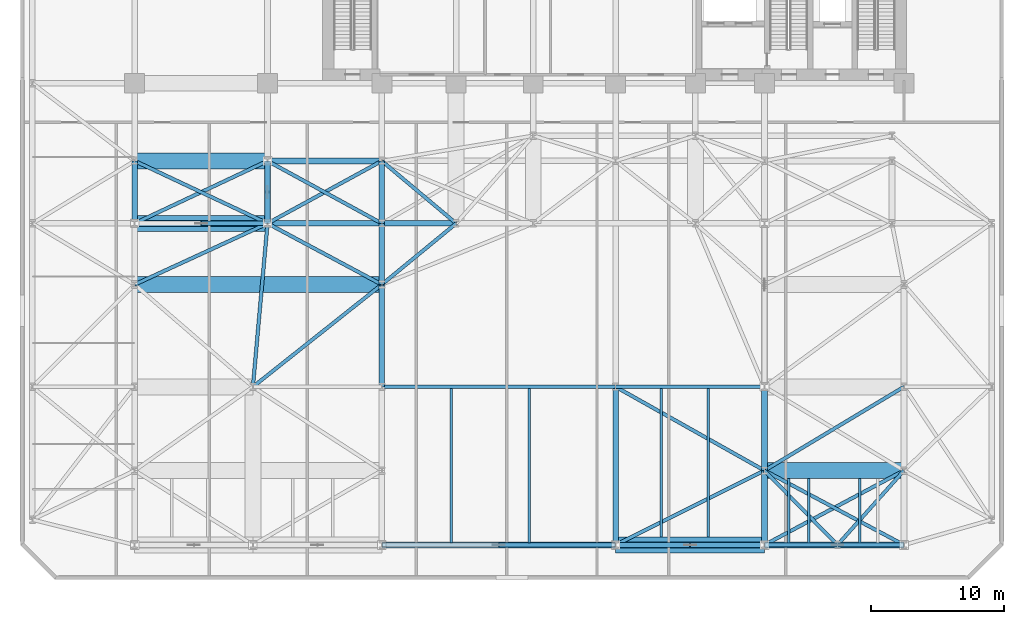
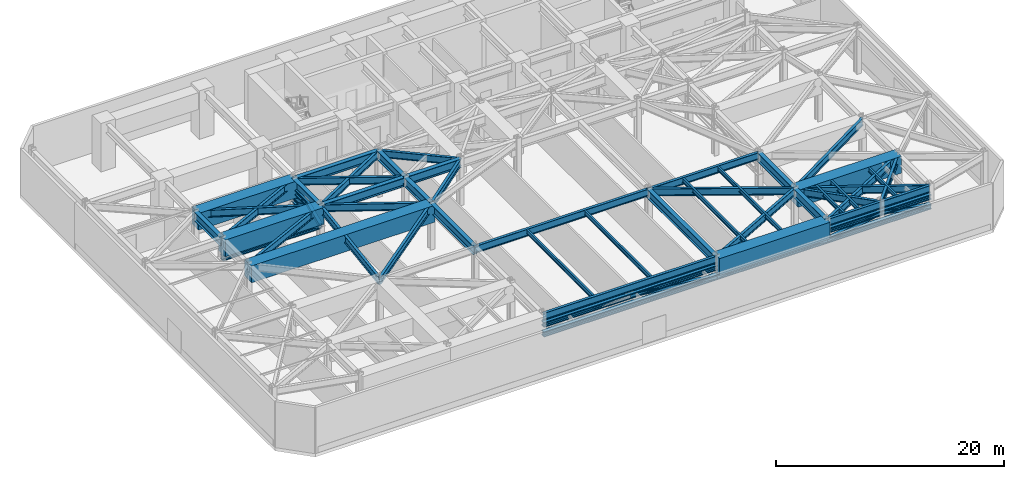
# One storey, part 2 of 14: 45 beams, 16 members.
"""IFC4 building model written with IfcOpenShell, lengths in metres."""

from ifc_helpers import new_model, si_unit, direction, frame, origin, origin_2d, place, context, subcontext, project, spatial, rectangle, hollow_rectangle, i_section, extrude, material, material_profile, profile_set, type_object, element, save


model = new_model("IFC4")

# Units and contexts
model_context = context("Model", 3, precision=1e-05, world=origin(), true_north=direction((0.0, 1.0)))
body_context = subcontext(model_context, "Body", "Model", "MODEL_VIEW")
ifc_project = project(units=[si_unit("LENGTHUNIT", "METRE"), si_unit("AREAUNIT", "SQUARE_METRE"), si_unit("VOLUMEUNIT", "CUBIC_METRE"), si_unit("PLANEANGLEUNIT", "RADIAN"), si_unit("MASSUNIT", "GRAM", prefix="KILO")], contexts=[model_context])

# Site, building, storey
site_placement = place(None, origin())
site = spatial("IfcSite", under=ifc_project, at=site_placement, CompositionType="ELEMENT")
building_placement = place(site_placement, origin())
building = spatial("IfcBuilding", under=site, at=building_placement, Name="Kravanh Interchange Tower", CompositionType="ELEMENT")
storey_placement = place(building_placement, frame((0.0, 0.0, 24.300048828125)))
storey = spatial("IfcBuildingStorey", under=building, at=storey_placement, Name="L05", CompositionType="ELEMENT", Elevation=24.300048828125)

# Beams
ifc_material_1 = material(Name="Structural Steel S450", Category="steel")
ifc_material_profile_1 = material_profile(ifc_material_1, i_section(OverallWidth=0.423095703125, OverallDepth=0.947998046875, WebThickness=0.02392578125, FlangeThickness=0.042724609375, FilletRadius=0.028076171875, at=origin_2d()), Name="W36X302")
ifc_profile_set_1 = profile_set([ifc_material_profile_1], Name="Structural Steel S450")
beam_type_1 = type_object("IfcBeamType", Name="Floor Beam W36X302 Structural Steel S450", PredefinedType="BEAM", material=ifc_profile_set_1)
beam_1_placement = place(storey_placement, frame((44.800048828125, 2.60009765625, 4.466064453125), z_axis=(0.0, 1.0, 0.0), x_axis=(-1.0, 0.0, 0.0)))
element("IfcBeam", 1, at=beam_1_placement, inside=storey, type_object=beam_type_1, Name="L05 Primary Floor Girder 11", PredefinedType="BEAM", context=body_context, shape_type="SweptSolid", body=[
    extrude(i_section(OverallWidth=0.423095703125, OverallDepth=0.947998046875, WebThickness=0.02392578125, FlangeThickness=0.042724609375, FilletRadius=0.028076171875, at=origin_2d()), origin(), (0.0, 0.0, 1.0), 11.89990234375),
])
beam_2_placement = place(storey_placement, frame((56.0, 2.60009765625, 4.466064453125), z_axis=(0.0, 1.0, 0.0), x_axis=(-1.0, 0.0, 0.0)))
element("IfcBeam", 2, at=beam_2_placement, inside=storey, type_object=beam_type_1, Name="L05 Primary Floor Girder 14", PredefinedType="BEAM", context=body_context, shape_type="SweptSolid", body=[
    extrude(i_section(OverallWidth=0.423095703125, OverallDepth=0.947998046875, WebThickness=0.02392578125, FlangeThickness=0.042724609375, FilletRadius=0.028076171875, at=origin_2d()), origin(), (0.0, 0.0, 1.0), 5.599853515625),
])
beam_3_placement = place(storey_placement, frame((56.0, 8.199951171875, 4.466064453125), z_axis=(0.0, 1.0, 0.0), x_axis=(-1.0, 0.0, 0.0)))
element("IfcBeam", 3, at=beam_3_placement, inside=storey, type_object=beam_type_1, Name="L05 Primary Floor Girder 29", PredefinedType="BEAM", context=body_context, shape_type="SweptSolid", body=[
    extrude(i_section(OverallWidth=0.423095703125, OverallDepth=0.947998046875, WebThickness=0.02392578125, FlangeThickness=0.042724609375, FilletRadius=0.028076171875, at=origin_2d()), origin(), (0.0, 0.0, 1.0), 6.300048828125),
])
beam_4_placement = place(storey_placement, frame((27.199951171875, 14.5, 4.466064453125), z_axis=(0.0, 1.0, 0.0), x_axis=(-1.0, 0.0, 0.0)))
element("IfcBeam", 4, at=beam_4_placement, inside=storey, type_object=beam_type_1, Name="L05 Primary Floor Girder 45", PredefinedType="BEAM", context=body_context, shape_type="SweptSolid", body=[
    extrude(i_section(OverallWidth=0.423095703125, OverallDepth=0.947998046875, WebThickness=0.02392578125, FlangeThickness=0.042724609375, FilletRadius=0.028076171875, at=origin_2d()), origin(), (0.0, 0.0, 1.0), 7.699951171875),
])
beam_5_placement = place(storey_placement, frame((27.199951171875, 22.199951171875, 4.466064453125), z_axis=(0.0, 1.0, 0.0), x_axis=(-1.0, 0.0, 0.0)))
element("IfcBeam", 5, at=beam_5_placement, inside=storey, type_object=beam_type_1, Name="L05 Primary Floor Girder 61", PredefinedType="BEAM", context=body_context, shape_type="SweptSolid", body=[
    extrude(i_section(OverallWidth=0.423095703125, OverallDepth=0.947998046875, WebThickness=0.02392578125, FlangeThickness=0.042724609375, FilletRadius=0.028076171875, at=origin_2d()), origin(), (0.0, 0.0, 1.0), 4.60009765625),
])
for number, where, z_axis, x_axis, name in (
    (6, (8.60009765625, 26.800048828125, 4.466064453125), (0.0, 1.0, 0.0), (-1.0, 0.0, 0.0), "L05 Primary Floor Girder 73"),
    (7, (18.60009765625, 26.800048828125, 4.466064453125), (0.0, 1.0, 0.0), (-1.0, 0.0, 0.0), "L05 Primary Floor Girder 77"),
):
    element("IfcBeam", number, at=place(storey_placement, frame(where, z_axis=z_axis, x_axis=x_axis)), inside=storey, type_object=beam_type_1, Name=name, PredefinedType="BEAM", context=body_context, shape_type="SweptSolid", body=[
        extrude(i_section(OverallWidth=0.423095703125, OverallDepth=0.947998046875, WebThickness=0.02392578125, FlangeThickness=0.042724609375, FilletRadius=0.028076171875, at=origin_2d()), origin(), (0.0, 0.0, 1.0), 4.699951171875),
    ])
beam_6_placement = place(storey_placement, frame((18.60009765625, 26.800048828125, 4.466064453125), z_axis=(1.0, 0.0, 0.0), x_axis=(0.0, 1.0, 0.0)))
element("IfcBeam", 8, at=beam_6_placement, inside=storey, type_object=beam_type_1, Name="L05 Primary Floor Girder 78", PredefinedType="BEAM", context=body_context, shape_type="SweptSolid", body=[
    extrude(i_section(OverallWidth=0.423095703125, OverallDepth=0.947998046875, WebThickness=0.02392578125, FlangeThickness=0.042724609375, FilletRadius=0.028076171875, at=origin_2d()), origin(), (0.0, 0.0, 1.0), 8.599853515625),
])
beam_7_placement = place(storey_placement, frame((27.199951171875, 26.800048828125, 4.466064453125), z_axis=(0.0, 1.0, 0.0), x_axis=(-1.0, 0.0, 0.0)))
element("IfcBeam", 9, at=beam_7_placement, inside=storey, type_object=beam_type_1, Name="L05 Primary Floor Girder 81", PredefinedType="BEAM", context=body_context, shape_type="SweptSolid", body=[
    extrude(i_section(OverallWidth=0.423095703125, OverallDepth=0.947998046875, WebThickness=0.02392578125, FlangeThickness=0.042724609375, FilletRadius=0.028076171875, at=origin_2d()), origin(), (0.0, 0.0, 1.0), 4.699951171875),
])
beam_8_placement = place(storey_placement, frame((27.199951171875, 26.800048828125, 4.466064453125), z_axis=(1.0, 0.0, 0.0), x_axis=(0.0, 1.0, 0.0)))
element("IfcBeam", 10, at=beam_8_placement, inside=storey, type_object=beam_type_1, Name="L05 Primary Floor Girder 82", PredefinedType="BEAM", context=body_context, shape_type="SweptSolid", body=[
    extrude(i_section(OverallWidth=0.423095703125, OverallDepth=0.947998046875, WebThickness=0.02392578125, FlangeThickness=0.042724609375, FilletRadius=0.028076171875, at=origin_2d()), origin(), (0.0, 0.0, 1.0), 5.60009765625),
])
beam_9_placement = place(storey_placement, frame((18.60009765625, 31.5, 4.466064453125), z_axis=(1.0, 0.0, 0.0), x_axis=(0.0, 1.0, 0.0)))
element("IfcBeam", 11, at=beam_9_placement, inside=storey, type_object=beam_type_1, Name="L05 Primary Floor Girder 109", PredefinedType="BEAM", context=body_context, shape_type="SweptSolid", body=[
    extrude(i_section(OverallWidth=0.423095703125, OverallDepth=0.947998046875, WebThickness=0.02392578125, FlangeThickness=0.042724609375, FilletRadius=0.028076171875, at=origin_2d()), origin(), (0.0, 0.0, 1.0), 8.599853515625),
])
ifc_material_2 = material(Name="Structural Steel S355", Category="steel")
ifc_material_profile_2 = material_profile(ifc_material_2, i_section(OverallWidth=0.18994140625, OverallDepth=0.45703125, WebThickness=0.009033203125, FlangeThickness=0.014404296875, FilletRadius=0.01806640625, at=origin_2d()), Name="W18X50")
ifc_profile_set_2 = profile_set([ifc_material_profile_2], Name="Structural Steel S355")
beam_type_2 = type_object("IfcBeamType", Name="Floor Joist W18X50 Structural Steel S355", PredefinedType="JOIST", material=ifc_profile_set_2)
for number, where, z_axis, x_axis, name in (
    (12, (32.4140625, 2.728515625, 4.71142578125), (0.0, 1.0, 0.0), (-1.0, 0.0, 0.0), "L05 Secondary Floor Joist 5"),
    (13, (38.281982421875, 2.728515625, 4.71142578125), (0.0, 1.0, 0.0), (-1.0, 0.0, 0.0), "L05 Secondary Floor Joist 6"),
):
    element("IfcBeam", number, at=place(storey_placement, frame(where, z_axis=z_axis, x_axis=x_axis)), inside=storey, type_object=beam_type_2, Name=name, PredefinedType="JOIST", context=body_context, shape_type="SweptSolid", body=[
        extrude(i_section(OverallWidth=0.18994140625, OverallDepth=0.45703125, WebThickness=0.009033203125, FlangeThickness=0.014404296875, FilletRadius=0.01806640625, at=origin_2d()), origin(), (0.0, 0.0, 1.0), 11.64306640625),
    ])
for number, where, z_axis, x_axis, name in (
    (14, (48.221923828125, 3.195068359375, 4.71142578125), (0.0, 1.0, 0.0), (-1.0, 0.0, 0.0), "L05 Secondary Floor Joist 7"),
    (15, (51.785888671875, 3.195068359375, 4.71142578125), (0.0, 1.0, 0.0), (-1.0, 0.0, 0.0), "L05 Secondary Floor Joist 8"),
):
    element("IfcBeam", number, at=place(storey_placement, frame(where, z_axis=z_axis, x_axis=x_axis)), inside=storey, type_object=beam_type_2, Name=name, PredefinedType="JOIST", context=body_context, shape_type="SweptSolid", body=[
        extrude(i_section(OverallWidth=0.18994140625, OverallDepth=0.45703125, WebThickness=0.009033203125, FlangeThickness=0.014404296875, FilletRadius=0.01806640625, at=origin_2d()), origin(), (0.0, 0.0, 1.0), 11.176513671875),
    ])
for number, where, z_axis, x_axis, name in (
    (16, (57.825927734375, 2.728515625, 4.71142578125), (0.0, 1.0, 0.0), (-1.0, 0.0, 0.0), "L05 Secondary Floor Joist 9"),
    (17, (59.337890625, 2.728515625, 4.71142578125), (0.0, 1.0, 0.0), (-1.0, 0.0, 0.0), "L05 Secondary Floor Joist 10"),
    (18, (63.18603515625, 2.728515625, 4.71142578125), (0.0, 1.0, 0.0), (-1.0, 0.0, 0.0), "L05 Secondary Floor Joist 11"),
):
    element("IfcBeam", number, at=place(storey_placement, frame(where, z_axis=z_axis, x_axis=x_axis)), inside=storey, type_object=beam_type_2, Name=name, PredefinedType="JOIST", context=body_context, shape_type="SweptSolid", body=[
        extrude(i_section(OverallWidth=0.18994140625, OverallDepth=0.45703125, WebThickness=0.009033203125, FlangeThickness=0.014404296875, FilletRadius=0.01806640625, at=origin_2d()), origin(), (0.0, 0.0, 1.0), 4.87646484375),
    ])
ifc_material_3 = material(Name="Structural Steel S355", Category="steel")
ifc_material_profile_3 = material_profile(ifc_material_3, i_section(OverallWidth=0.26708984375, OverallDepth=0.761962890625, WebThickness=0.014404296875, FlangeThickness=0.021484375, FilletRadius=0.02490234375, at=origin_2d()), Name="W30X116")
ifc_profile_set_3 = profile_set([ifc_material_profile_3], Name="Structural Steel S355")
beam_type_3 = type_object("IfcBeamType", Name="Floor Spandrel W30X116 Structural Steel S355", PredefinedType="SPANDREL", material=ifc_profile_set_3)
beam_10_placement = place(storey_placement, frame((27.199951171875, 2.60009765625, 4.558837890625), z_axis=(1.0, 0.0, 0.0), x_axis=(0.0, 1.0, 0.0)))
element("IfcBeam", 19, at=beam_10_placement, inside=storey, type_object=beam_type_3, Name="L05 Perimeter Spandrel 9", PredefinedType="SPANDREL", context=body_context, shape_type="SweptSolid", body=[
    extrude(i_section(OverallWidth=0.26708984375, OverallDepth=0.761962890625, WebThickness=0.014404296875, FlangeThickness=0.021484375, FilletRadius=0.02490234375, at=origin_2d()), origin(), (0.0, 0.0, 1.0), 17.60009765625),
])
beam_11_placement = place(storey_placement, frame((44.800048828125, 2.60009765625, 4.558837890625), z_axis=(0.894431090393, 0.447205796629, 0.0), x_axis=(-0.447205796629, 0.894431090393, 0.0)))
element("IfcBeam", 20, at=beam_11_placement, inside=storey, type_object=beam_type_3, Name="L05 Perimeter Spandrel 12", PredefinedType="SPANDREL", context=body_context, shape_type="SweptSolid", body=[
    extrude(i_section(OverallWidth=0.26708984375, OverallDepth=0.761962890625, WebThickness=0.014404296875, FlangeThickness=0.021484375, FilletRadius=0.02490234375, at=origin_2d()), origin(), (0.0, 0.0, 1.0), 12.52197265625),
])
beam_12_placement = place(storey_placement, frame((56.0, 2.60009765625, 4.558837890625), z_axis=(1.0, 0.0, 0.0), x_axis=(0.0, 1.0, 0.0)))
element("IfcBeam", 21, at=beam_12_placement, inside=storey, type_object=beam_type_3, Name="L05 Perimeter Spandrel 13", PredefinedType="SPANDREL", context=body_context, shape_type="SweptSolid", body=[
    extrude(i_section(OverallWidth=0.26708984375, OverallDepth=0.761962890625, WebThickness=0.014404296875, FlangeThickness=0.021484375, FilletRadius=0.02490234375, at=origin_2d()), origin(), (0.0, 0.0, 1.0), 5.5),
])
beam_13_placement = place(storey_placement, frame((56.0, 2.60009765625, 4.558837890625), z_axis=(0.882358052411, 0.470578651603, 0.0), x_axis=(-0.470578651603, 0.882358052411, 0.0)))
element("IfcBeam", 22, at=beam_13_placement, inside=storey, type_object=beam_type_3, Name="L05 Perimeter Spandrel 15", PredefinedType="SPANDREL", context=body_context, shape_type="SweptSolid", body=[
    extrude(i_section(OverallWidth=0.26708984375, OverallDepth=0.761962890625, WebThickness=0.014404296875, FlangeThickness=0.021484375, FilletRadius=0.02490234375, at=origin_2d()), origin(), (0.0, 0.0, 1.0), 11.89990234375),
])
beam_14_placement = place(storey_placement, frame((61.5, 2.60009765625, 4.558837890625), z_axis=(1.0, 0.0, 0.0), x_axis=(0.0, 1.0, 0.0)))
element("IfcBeam", 23, at=beam_14_placement, inside=storey, type_object=beam_type_3, Name="L05 Perimeter Spandrel 16", PredefinedType="SPANDREL", context=body_context, shape_type="SweptSolid", body=[
    extrude(i_section(OverallWidth=0.26708984375, OverallDepth=0.761962890625, WebThickness=0.014404296875, FlangeThickness=0.021484375, FilletRadius=0.02490234375, at=origin_2d()), origin(), (0.0, 0.0, 1.0), 5.0),
])
beam_15_placement = place(storey_placement, frame((61.5, 2.60009765625, 4.558837890625), z_axis=(0.666025463167, 0.745929006282, 0.0), x_axis=(-0.745929006282, 0.666025463167, 0.0)))
element("IfcBeam", 24, at=beam_15_placement, inside=storey, type_object=beam_type_3, Name="L05 Perimeter Spandrel 17", PredefinedType="SPANDREL", context=body_context, shape_type="SweptSolid", body=[
    extrude(i_section(OverallWidth=0.26708984375, OverallDepth=0.761962890625, WebThickness=0.014404296875, FlangeThickness=0.021484375, FilletRadius=0.02490234375, at=origin_2d()), origin(), (0.0, 0.0, 1.0), 7.50732421875),
])
beam_16_placement = place(storey_placement, frame((61.5, 2.60009765625, 4.558837890625), z_axis=(-0.700717344595, 0.71343899738, 0.0), x_axis=(-0.71343899738, -0.700717344595, 0.0)))
element("IfcBeam", 25, at=beam_16_placement, inside=storey, type_object=beam_type_3, Name="L05 Perimeter Spandrel 18", PredefinedType="SPANDREL", context=body_context, shape_type="SweptSolid", body=[
    extrude(i_section(OverallWidth=0.26708984375, OverallDepth=0.761962890625, WebThickness=0.014404296875, FlangeThickness=0.021484375, FilletRadius=0.02490234375, at=origin_2d()), origin(), (0.0, 0.0, 1.0), 7.84912109375),
])
beam_17_placement = place(storey_placement, frame((66.5, 2.60009765625, 4.558837890625), z_axis=(-0.882358052411, 0.470578651603, 0.0), x_axis=(-0.470578651603, -0.882358052411, 0.0)))
element("IfcBeam", 26, at=beam_17_placement, inside=storey, type_object=beam_type_3, Name="L05 Perimeter Spandrel 22", PredefinedType="SPANDREL", context=body_context, shape_type="SweptSolid", body=[
    extrude(i_section(OverallWidth=0.26708984375, OverallDepth=0.761962890625, WebThickness=0.014404296875, FlangeThickness=0.021484375, FilletRadius=0.02490234375, at=origin_2d()), origin(), (0.0, 0.0, 1.0), 11.89990234375),
])
beam_18_placement = place(storey_placement, frame((56.0, 8.199951171875, 4.558837890625), z_axis=(0.857491166477, 0.514498687475, 0.0), x_axis=(-0.514498687475, 0.857491166477, 0.0)))
element("IfcBeam", 27, at=beam_18_placement, inside=storey, type_object=beam_type_3, Name="L05 Perimeter Spandrel 31", PredefinedType="SPANDREL", context=body_context, shape_type="SweptSolid", body=[
    extrude(i_section(OverallWidth=0.26708984375, OverallDepth=0.761962890625, WebThickness=0.014404296875, FlangeThickness=0.021484375, FilletRadius=0.02490234375, at=origin_2d()), origin(), (0.0, 0.0, 1.0), 12.2451171875),
])
beam_19_placement = place(storey_placement, frame((56.0, 8.199951171875, 4.558837890625), z_axis=(-0.871573000172, 0.490265749743, 0.0), x_axis=(-0.490265749743, -0.871573000172, 0.0)))
element("IfcBeam", 28, at=beam_19_placement, inside=storey, type_object=beam_type_3, Name="L05 Perimeter Spandrel 32", PredefinedType="SPANDREL", context=body_context, shape_type="SweptSolid", body=[
    extrude(i_section(OverallWidth=0.26708984375, OverallDepth=0.761962890625, WebThickness=0.014404296875, FlangeThickness=0.021484375, FilletRadius=0.02490234375, at=origin_2d()), origin(), (0.0, 0.0, 1.0), 12.850341796875),
])
beam_20_placement = place(storey_placement, frame((17.5, 14.5, 4.558837890625), z_axis=(0.089082890706, 0.996024215862, 0.0), x_axis=(-0.996024215862, 0.089082890706, 0.0)))
element("IfcBeam", 29, at=beam_20_placement, inside=storey, type_object=beam_type_3, Name="L05 Perimeter Spandrel 43", PredefinedType="SPANDREL", context=body_context, shape_type="SweptSolid", body=[
    extrude(i_section(OverallWidth=0.26708984375, OverallDepth=0.761962890625, WebThickness=0.014404296875, FlangeThickness=0.021484375, FilletRadius=0.02490234375, at=origin_2d()), origin(), (0.0, 0.0, 1.0), 12.34912109375),
])
beam_21_placement = place(storey_placement, frame((17.5, 14.5, 4.558837890625), z_axis=(0.78322688578, 0.621735993321, 0.0), x_axis=(-0.621735993321, 0.78322688578, 0.0)))
element("IfcBeam", 30, at=beam_21_placement, inside=storey, type_object=beam_type_3, Name="L05 Perimeter Spandrel 44", PredefinedType="SPANDREL", context=body_context, shape_type="SweptSolid", body=[
    extrude(i_section(OverallWidth=0.26708984375, OverallDepth=0.761962890625, WebThickness=0.014404296875, FlangeThickness=0.021484375, FilletRadius=0.02490234375, at=origin_2d()), origin(), (0.0, 0.0, 1.0), 12.384521484375),
])
beam_22_placement = place(storey_placement, frame((27.199951171875, 14.5, 4.558837890625), z_axis=(1.0, 0.0, 0.0), x_axis=(0.0, 1.0, 0.0)))
element("IfcBeam", 31, at=beam_22_placement, inside=storey, type_object=beam_type_3, Name="L05 Perimeter Spandrel 46", PredefinedType="SPANDREL", context=body_context, shape_type="SweptSolid", body=[
    extrude(i_section(OverallWidth=0.26708984375, OverallDepth=0.761962890625, WebThickness=0.014404296875, FlangeThickness=0.021484375, FilletRadius=0.02490234375, at=origin_2d()), origin(), (0.0, 0.0, 1.0), 17.60009765625),
])
beam_23_placement = place(storey_placement, frame((44.800048828125, 14.5, 4.558837890625), z_axis=(1.0, 0.0, 0.0), x_axis=(0.0, 1.0, 0.0)))
element("IfcBeam", 32, at=beam_23_placement, inside=storey, type_object=beam_type_3, Name="L05 Perimeter Spandrel 47", PredefinedType="SPANDREL", context=body_context, shape_type="SweptSolid", body=[
    extrude(i_section(OverallWidth=0.26708984375, OverallDepth=0.761962890625, WebThickness=0.014404296875, FlangeThickness=0.021484375, FilletRadius=0.02490234375, at=origin_2d()), origin(), (0.0, 0.0, 1.0), 11.199951171875),
])
beam_24_placement = place(storey_placement, frame((8.60009765625, 22.199951171875, 4.558837890625), z_axis=(0.908487084298, 0.417912930721, 0.0), x_axis=(-0.417912930721, 0.908487084298, 0.0)))
element("IfcBeam", 33, at=beam_24_placement, inside=storey, type_object=beam_type_3, Name="L05 Perimeter Spandrel 60", PredefinedType="SPANDREL", context=body_context, shape_type="SweptSolid", body=[
    extrude(i_section(OverallWidth=0.26708984375, OverallDepth=0.761962890625, WebThickness=0.014404296875, FlangeThickness=0.021484375, FilletRadius=0.02490234375, at=origin_2d()), origin(), (0.0, 0.0, 1.0), 11.00732421875),
])
beam_25_placement = place(storey_placement, frame((27.199951171875, 22.199951171875, 4.558837890625), z_axis=(0.772725074305, 0.634740860147, 0.0), x_axis=(-0.634740860147, 0.772725074305, 0.0)))
element("IfcBeam", 34, at=beam_25_placement, inside=storey, type_object=beam_type_3, Name="L05 Perimeter Spandrel 62", PredefinedType="SPANDREL", context=body_context, shape_type="SweptSolid", body=[
    extrude(i_section(OverallWidth=0.26708984375, OverallDepth=0.761962890625, WebThickness=0.014404296875, FlangeThickness=0.021484375, FilletRadius=0.02490234375, at=origin_2d()), origin(), (0.0, 0.0, 1.0), 7.247314453125),
])
beam_26_placement = place(storey_placement, frame((27.199951171875, 22.199951171875, 4.558837890625), z_axis=(-0.881777136221, 0.471666282489, 0.0), x_axis=(-0.471666282489, -0.881777136221, 0.0)))
element("IfcBeam", 35, at=beam_26_placement, inside=storey, type_object=beam_type_3, Name="L05 Perimeter Spandrel 63", PredefinedType="SPANDREL", context=body_context, shape_type="SweptSolid", body=[
    extrude(i_section(OverallWidth=0.26708984375, OverallDepth=0.761962890625, WebThickness=0.014404296875, FlangeThickness=0.021484375, FilletRadius=0.02490234375, at=origin_2d()), origin(), (0.0, 0.0, 1.0), 9.7529296875),
])
beam_27_placement = place(storey_placement, frame((8.60009765625, 26.800048828125, 4.558837890625), z_axis=(0.905025402916, 0.425357520301, 0.0), x_axis=(-0.425357520301, 0.905025402916, 0.0)))
element("IfcBeam", 36, at=beam_27_placement, inside=storey, type_object=beam_type_3, Name="L05 Perimeter Spandrel 76", PredefinedType="SPANDREL", context=body_context, shape_type="SweptSolid", body=[
    extrude(i_section(OverallWidth=0.26708984375, OverallDepth=0.761962890625, WebThickness=0.014404296875, FlangeThickness=0.021484375, FilletRadius=0.02490234375, at=origin_2d()), origin(), (0.0, 0.0, 1.0), 11.04931640625),
])
beam_28_placement = place(storey_placement, frame((18.60009765625, 26.800048828125, 4.558837890625), z_axis=(0.877503996342, 0.479569323877, 0.0), x_axis=(-0.479569323877, 0.877503996342, 0.0)))
element("IfcBeam", 37, at=beam_28_placement, inside=storey, type_object=beam_type_3, Name="L05 Perimeter Spandrel 79", PredefinedType="SPANDREL", context=body_context, shape_type="SweptSolid", body=[
    extrude(i_section(OverallWidth=0.26708984375, OverallDepth=0.761962890625, WebThickness=0.014404296875, FlangeThickness=0.021484375, FilletRadius=0.02490234375, at=origin_2d()), origin(), (0.0, 0.0, 1.0), 9.80029296875),
])
beam_29_placement = place(storey_placement, frame((18.60009765625, 26.800048828125, 4.558837890625), z_axis=(-0.905025402916, 0.425357520301, 0.0), x_axis=(-0.425357520301, -0.905025402916, 0.0)))
element("IfcBeam", 38, at=beam_29_placement, inside=storey, type_object=beam_type_3, Name="L05 Perimeter Spandrel 80", PredefinedType="SPANDREL", context=body_context, shape_type="SweptSolid", body=[
    extrude(i_section(OverallWidth=0.26708984375, OverallDepth=0.761962890625, WebThickness=0.014404296875, FlangeThickness=0.021484375, FilletRadius=0.02490234375, at=origin_2d()), origin(), (0.0, 0.0, 1.0), 11.04931640625),
])
beam_30_placement = place(storey_placement, frame((27.199951171875, 26.800048828125, 4.558837890625), z_axis=(-0.877503996342, 0.479569323877, 0.0), x_axis=(-0.479569323877, -0.877503996342, 0.0)))
element("IfcBeam", 39, at=beam_30_placement, inside=storey, type_object=beam_type_3, Name="L05 Perimeter Spandrel 83", PredefinedType="SPANDREL", context=body_context, shape_type="SweptSolid", body=[
    extrude(i_section(OverallWidth=0.26708984375, OverallDepth=0.761962890625, WebThickness=0.014404296875, FlangeThickness=0.021484375, FilletRadius=0.02490234375, at=origin_2d()), origin(), (0.0, 0.0, 1.0), 9.80029296875),
])
beam_31_placement = place(storey_placement, frame((32.800048828125, 26.800048828125, 4.558837890625), z_axis=(-0.765983062929, 0.642860752657, 0.0), x_axis=(-0.642860752657, -0.765983062929, 0.0)))
element("IfcBeam", 40, at=beam_31_placement, inside=storey, type_object=beam_type_3, Name="L05 Perimeter Spandrel 86", PredefinedType="SPANDREL", context=body_context, shape_type="SweptSolid", body=[
    extrude(i_section(OverallWidth=0.26708984375, OverallDepth=0.761962890625, WebThickness=0.014404296875, FlangeThickness=0.021484375, FilletRadius=0.02490234375, at=origin_2d()), origin(), (0.0, 0.0, 1.0), 7.31103515625),
])
ifc_material_4 = material(Name="Concrete C70/85", Category="concrete")
ifc_material_profile_4 = material_profile(ifc_material_4, rectangle(XDim=1.199951171875, YDim=1.800048828125, at=origin_2d()), Name="TG1200X1800")
ifc_profile_set_4 = profile_set([ifc_material_profile_4], Name="Concrete C70/85")
beam_type_4 = type_object("IfcBeamType", Name="Transfer Girder TG1200X1800 Concrete C70/85", PredefinedType="BEAM", material=ifc_profile_set_4)
beam_32_placement = place(storey_placement, frame((44.800048828125, 2.60009765625, 4.0400390625), z_axis=(1.0, 0.0, 0.0), x_axis=(0.0, 1.0, 0.0)))
element("IfcBeam", 41, at=beam_32_placement, inside=storey, type_object=beam_type_4, Name="L05 TRANSFER GIRDER TG-5", PredefinedType="BEAM", context=body_context, shape_type="SweptSolid", body=[
    extrude(rectangle(XDim=1.199951171875, YDim=1.800048828125, at=origin_2d()), origin(), (0.0, 0.0, 1.0), 11.199951171875),
])
beam_33_placement = place(storey_placement, frame((56.0, 8.199951171875, 4.0400390625), z_axis=(1.0, 0.0, 0.0), x_axis=(0.0, 1.0, 0.0)))
element("IfcBeam", 42, at=beam_33_placement, inside=storey, type_object=beam_type_4, Name="L05 TRANSFER GIRDER TG-9", PredefinedType="BEAM", context=body_context, shape_type="SweptSolid", body=[
    extrude(rectangle(XDim=1.199951171875, YDim=1.800048828125, at=origin_2d()), origin(), (0.0, 0.0, 1.0), 10.5),
])
beam_34_placement = place(storey_placement, frame((8.60009765625, 22.199951171875, 4.0400390625), z_axis=(1.0, 0.0, 0.0), x_axis=(0.0, 1.0, 0.0)))
element("IfcBeam", 43, at=beam_34_placement, inside=storey, type_object=beam_type_4, Name="L05 TRANSFER GIRDER TG-12", PredefinedType="BEAM", context=body_context, shape_type="SweptSolid", body=[
    extrude(rectangle(XDim=1.199951171875, YDim=1.800048828125, at=origin_2d()), origin(), (0.0, 0.0, 1.0), 18.599853515625),
])
for number, where, z_axis, x_axis, name in (
    (44, (8.60009765625, 26.800048828125, 4.0400390625), (1.0, 0.0, 0.0), (0.0, 1.0, 0.0), "L05 TRANSFER GIRDER TG-14"),
    (45, (8.60009765625, 31.5, 4.0400390625), (1.0, 0.0, 0.0), (0.0, 1.0, 0.0), "L05 TRANSFER GIRDER TG-15"),
):
    element("IfcBeam", number, at=place(storey_placement, frame(where, z_axis=z_axis, x_axis=x_axis)), inside=storey, type_object=beam_type_4, Name=name, PredefinedType="BEAM", context=body_context, shape_type="SweptSolid", body=[
        extrude(rectangle(XDim=1.199951171875, YDim=1.800048828125, at=origin_2d()), origin(), (0.0, 0.0, 1.0), 10.0),
    ])

# Members
ifc_material_5 = material(Name="Structural Steel S450", Category="steel")
ifc_material_profile_5 = material_profile(ifc_material_5, i_section(OverallWidth=0.44189453125, OverallDepth=0.531005859375, WebThickness=0.06591796875, FlangeThickness=0.105712890625, FilletRadius=0.030029296875, at=origin_2d()), Name="W14X605")
ifc_profile_set_5 = profile_set([ifc_material_profile_5], Name="Structural Steel S450")
member_type_1 = type_object("IfcMemberType", Name="Transfer Truss Chord W14X605 Structural Steel S450", PredefinedType="CHORD", material=ifc_profile_set_5)
for number, where, z_axis, x_axis, name in (
    (46, (27.199951171875, 2.60009765625, 2.699951171875), (1.0, 0.0, 0.0), (0.0, 1.0, 0.0), "L05 TRANSFER TRUSS BOTTOM CHORD 3"),
    (47, (27.199951171875, 2.60009765625, 3.741943359375), (1.0, 0.0, 0.0), (0.0, 1.0, 0.0), "L05 TRANSFER TRUSS TOP CHORD 3"),
):
    element("IfcMember", number, at=place(storey_placement, frame(where, z_axis=z_axis, x_axis=x_axis)), inside=storey, type_object=member_type_1, Name=name, PredefinedType="CHORD", context=body_context, shape_type="SweptSolid", body=[
        extrude(i_section(OverallWidth=0.44189453125, OverallDepth=0.531005859375, WebThickness=0.06591796875, FlangeThickness=0.105712890625, FilletRadius=0.030029296875, at=origin_2d()), origin(), (0.0, 0.0, 1.0), 17.60009765625),
    ])
member_1_placement = place(storey_placement, frame((44.800048828125, 2.60009765625, 2.699951171875), z_axis=(1.0, 0.0, 0.0), x_axis=(0.0, 1.0, 0.0)))
element("IfcMember", 48, at=member_1_placement, inside=storey, type_object=member_type_1, Name="L05 TRANSFER TRUSS BOTTOM CHORD 4", PredefinedType="CHORD", context=body_context, shape_type="SweptSolid", body=[
    extrude(i_section(OverallWidth=0.44189453125, OverallDepth=0.531005859375, WebThickness=0.06591796875, FlangeThickness=0.105712890625, FilletRadius=0.030029296875, at=origin_2d()), origin(), (0.0, 0.0, 1.0), 11.199951171875),
])
for number, where, z_axis, x_axis, name in (
    (49, (56.0, 2.60009765625, 2.699951171875), (1.0, 0.0, 0.0), (0.0, 1.0, 0.0), "L05 TRANSFER TRUSS BOTTOM CHORD 5"),
    (50, (56.0, 2.60009765625, 3.741943359375), (1.0, 0.0, 0.0), (0.0, 1.0, 0.0), "L05 TRANSFER TRUSS TOP CHORD 5"),
):
    element("IfcMember", number, at=place(storey_placement, frame(where, z_axis=z_axis, x_axis=x_axis)), inside=storey, type_object=member_type_1, Name=name, PredefinedType="CHORD", context=body_context, shape_type="SweptSolid", body=[
        extrude(i_section(OverallWidth=0.44189453125, OverallDepth=0.531005859375, WebThickness=0.06591796875, FlangeThickness=0.105712890625, FilletRadius=0.030029296875, at=origin_2d()), origin(), (0.0, 0.0, 1.0), 10.5),
    ])
for number, where, z_axis, x_axis, name in (
    (51, (18.60009765625, 26.800048828125, 2.699951171875), (0.0, 1.0, 0.0), (-1.0, 0.0, 0.0), "L05 TRANSFER TRUSS BOTTOM CHORD 6"),
    (52, (18.60009765625, 26.800048828125, 3.741943359375), (0.0, 1.0, 0.0), (-1.0, 0.0, 0.0), "L05 TRANSFER TRUSS TOP CHORD 6"),
):
    element("IfcMember", number, at=place(storey_placement, frame(where, z_axis=z_axis, x_axis=x_axis)), inside=storey, type_object=member_type_1, Name=name, PredefinedType="CHORD", context=body_context, shape_type="SweptSolid", body=[
        extrude(i_section(OverallWidth=0.44189453125, OverallDepth=0.531005859375, WebThickness=0.06591796875, FlangeThickness=0.105712890625, FilletRadius=0.030029296875, at=origin_2d()), origin(), (0.0, 0.0, 1.0), 4.699951171875),
    ])
member_2_placement = place(storey_placement, frame((8.60009765625, 26.800048828125, 2.699951171875), z_axis=(1.0, 0.0, 0.0), x_axis=(0.0, 1.0, 0.0)))
element("IfcMember", 53, at=member_2_placement, inside=storey, type_object=member_type_1, Name="L05 TRANSFER TRUSS BOTTOM CHORD 8", PredefinedType="CHORD", context=body_context, shape_type="SweptSolid", body=[
    extrude(i_section(OverallWidth=0.44189453125, OverallDepth=0.531005859375, WebThickness=0.06591796875, FlangeThickness=0.105712890625, FilletRadius=0.030029296875, at=origin_2d()), origin(), (0.0, 0.0, 1.0), 10.0),
])
ifc_material_6 = material(Name="Structural Steel S450", Category="steel")
ifc_material_profile_6 = material_profile(ifc_material_6, hollow_rectangle(XDim=0.35009765625, YDim=0.35009765625, WallThickness=0.01611328125, at=origin_2d()), Name="HSS350X350X16")
ifc_profile_set_6 = profile_set([ifc_material_profile_6], Name="Structural Steel S450")
member_type_2 = type_object("IfcMemberType", Name="Transfer Truss Diagonal HSS350X350X16 Structural Steel S450", PredefinedType="BRACE", material=ifc_profile_set_6)
member_3_placement = place(storey_placement, frame((44.800048828125, 2.60009765625, 2.699951171875), z_axis=(-0.993062689499, 0.0, 0.11758611621), x_axis=(0.0, -1.0, 0.0)))
element("IfcMember", 54, at=member_3_placement, inside=storey, type_object=member_type_2, Name="L05 TRANSFER TRUSS DIAGONAL 3B", PredefinedType="BRACE", context=body_context, shape_type="SweptSolid", body=[
    extrude(hollow_rectangle(XDim=0.35009765625, YDim=0.35009765625, WallThickness=0.01611328125, at=origin_2d()), origin(), (0.0, 0.0, 1.0), 8.861572265625),
])
member_4_placement = place(storey_placement, frame((44.800048828125, 2.60009765625, 2.699951171875), z_axis=(0.983125030252, 0.0, 0.182934892493), x_axis=(0.0, 1.0, 0.0)))
element("IfcMember", 55, at=member_4_placement, inside=storey, type_object=member_type_2, Name="L05 TRANSFER TRUSS DIAGONAL 4A", PredefinedType="BRACE", context=body_context, shape_type="SweptSolid", body=[
    extrude(hollow_rectangle(XDim=0.35009765625, YDim=0.35009765625, WallThickness=0.01611328125, at=origin_2d()), origin(), (0.0, 0.0, 1.0), 5.696044921875),
])
member_5_placement = place(storey_placement, frame((56.0, 2.60009765625, 2.699951171875), z_axis=(-0.983126464545, 0.0, 0.182927184178), x_axis=(0.0, -1.0, 0.0)))
element("IfcMember", 56, at=member_5_placement, inside=storey, type_object=member_type_2, Name="L05 TRANSFER TRUSS DIAGONAL 4B", PredefinedType="BRACE", context=body_context, shape_type="SweptSolid", body=[
    extrude(hollow_rectangle(XDim=0.35009765625, YDim=0.35009765625, WallThickness=0.01611328125, at=origin_2d()), origin(), (0.0, 0.0, 1.0), 5.6962890625),
])
member_6_placement = place(storey_placement, frame((56.0, 2.60009765625, 2.699951171875), z_axis=(0.98252284804, 0.0, 0.186142023945), x_axis=(0.0, 1.0, 0.0)))
element("IfcMember", 57, at=member_6_placement, inside=storey, type_object=member_type_2, Name="L05 TRANSFER TRUSS DIAGONAL 5A", PredefinedType="BRACE", context=body_context, shape_type="SweptSolid", body=[
    extrude(hollow_rectangle(XDim=0.35009765625, YDim=0.35009765625, WallThickness=0.01611328125, at=origin_2d()), origin(), (0.0, 0.0, 1.0), 5.597900390625),
])
member_7_placement = place(storey_placement, frame((66.5, 2.60009765625, 2.699951171875), z_axis=(-0.978967692066, 0.0, 0.20401533739), x_axis=(0.0, -1.0, 0.0)))
element("IfcMember", 58, at=member_7_placement, inside=storey, type_object=member_type_2, Name="L05 TRANSFER TRUSS DIAGONAL 5B", PredefinedType="BRACE", context=body_context, shape_type="SweptSolid", body=[
    extrude(hollow_rectangle(XDim=0.35009765625, YDim=0.35009765625, WallThickness=0.01611328125, at=origin_2d()), origin(), (0.0, 0.0, 1.0), 5.107421875),
])
member_8_placement = place(storey_placement, frame((18.60009765625, 26.800048828125, 2.699951171875), z_axis=(0.0, 0.914155879226, 0.405362835588), x_axis=(-1.0, 0.0, 0.0)))
element("IfcMember", 59, at=member_8_placement, inside=storey, type_object=member_type_2, Name="L05 TRANSFER TRUSS DIAGONAL 6A", PredefinedType="BRACE", context=body_context, shape_type="SweptSolid", body=[
    extrude(hollow_rectangle(XDim=0.35009765625, YDim=0.35009765625, WallThickness=0.01611328125, at=origin_2d()), origin(), (0.0, 0.0, 1.0), 2.570556640625),
])
member_9_placement = place(storey_placement, frame((18.60009765625, 31.5, 2.699951171875), z_axis=(0.0, -0.914171483761, 0.405327643122), x_axis=(1.0, 0.0, 0.0)))
element("IfcMember", 60, at=member_9_placement, inside=storey, type_object=member_type_2, Name="L05 TRANSFER TRUSS DIAGONAL 6B", PredefinedType="BRACE", context=body_context, shape_type="SweptSolid", body=[
    extrude(hollow_rectangle(XDim=0.35009765625, YDim=0.35009765625, WallThickness=0.01611328125, at=origin_2d()), origin(), (0.0, 0.0, 1.0), 2.57080078125),
])
member_10_placement = place(storey_placement, frame((18.60009765625, 26.800048828125, 2.699951171875), z_axis=(-0.978967692066, 0.0, 0.20401533739), x_axis=(0.0, -1.0, 0.0)))
element("IfcMember", 61, at=member_10_placement, inside=storey, type_object=member_type_2, Name="L05 TRANSFER TRUSS DIAGONAL 8B", PredefinedType="BRACE", context=body_context, shape_type="SweptSolid", body=[
    extrude(hollow_rectangle(XDim=0.35009765625, YDim=0.35009765625, WallThickness=0.01611328125, at=origin_2d()), origin(), (0.0, 0.0, 1.0), 5.107421875),
])

save(model, "model.ifc")
